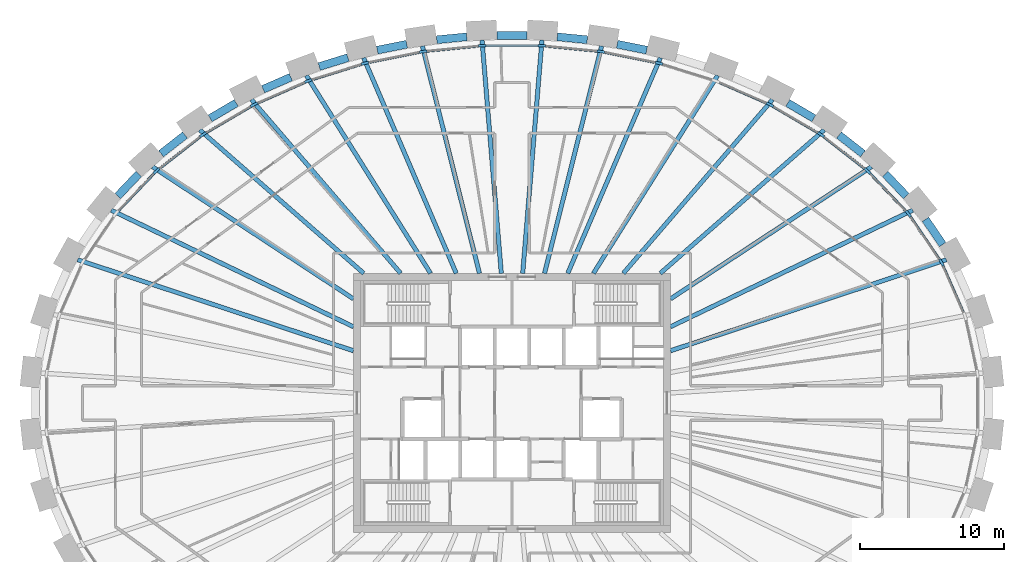
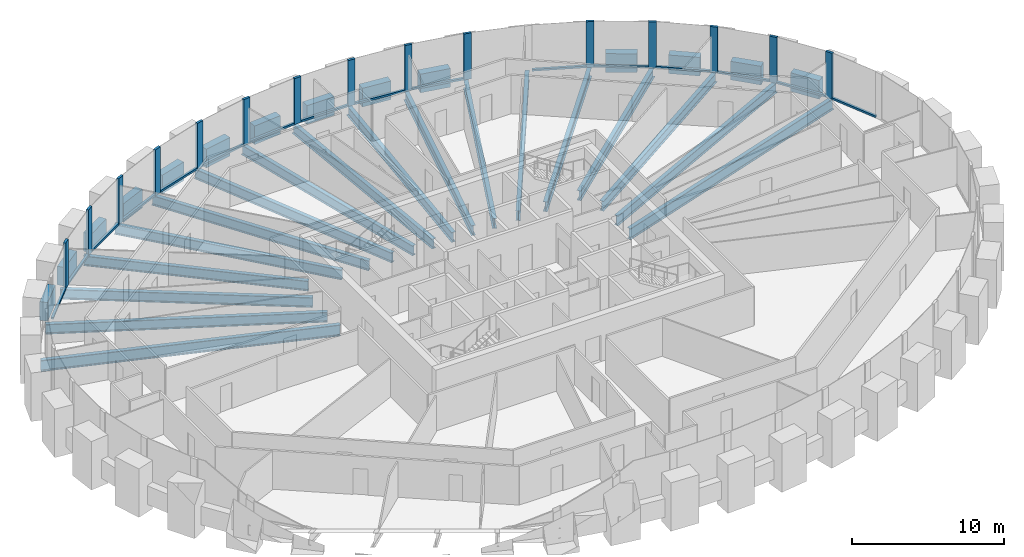
# One storey, part 3 of 12: 32 beams, 31 members, 1 element without a shape of its own.
"""IFC4 building model written with IfcOpenShell, lengths in metres."""

import ifcopenshell
import ifcopenshell.guid

model = None  # the IFC model being written
_history = None  # IfcOwnerHistory: only IFC2X3 demands one
_inside = {}  # id of a spatial element -> (the spatial element, [elements in it])
_under = {}  # id of a project, library or spatial element -> (it, [spatial elements below it])
_declared = {}  # id of a project -> (the project, [libraries it declares])
_typed = {}  # id of a type object -> (the type object, [elements of that type])
_made_of = {}  # id of a material, layer set ... -> (it, [elements and type objects made of it])


def new_model(schema):
    """Start an empty IFC model of exactly this schema.

    Asked for "IFC4X3", IfcOpenShell would pick the latest addendum, in which some entities
    have other attributes; the version numbers below select the first issue.
    IFC2X3 requires an IfcOwnerHistory on every rooted entity: one is made here for all.
    """
    global model, _history
    if schema == "IFC4X3":
        model = ifcopenshell.file(schema_version=(4, 3, 0, 0))
    else:
        model = ifcopenshell.file(schema=schema)
    _inside.clear()
    _under.clear()
    _declared.clear()
    _typed.clear()
    _made_of.clear()
    _history = None
    if model.schema == "IFC2X3":
        org = make("IfcOrganization", Name="unknown")
        user = make(
            "IfcPersonAndOrganization",
            ThePerson=make("IfcPerson", FamilyName="unknown"),
            TheOrganization=org,
        )
        app = make(
            "IfcApplication",
            ApplicationDeveloper=org,
            Version="unknown",
            ApplicationFullName="unknown",
            ApplicationIdentifier="unknown",
        )
        _history = make(
            "IfcOwnerHistory",
            OwningUser=user,
            OwningApplication=app,
            ChangeAction="ADDED",
            CreationDate=0,
        )
    return model


def make(cls, **values):
    """One entity of the class cls with the attributes given. An attribute that is None is left unset."""
    return model.create_entity(
        cls, **{name: value for name, value in values.items() if value is not None}
    )


def rooted(cls, **values):
    """An entity with a GlobalId (a new one), such as an element, a storey or a relation."""
    return make(cls, GlobalId=ifcopenshell.guid.new(), OwnerHistory=_history, **values)


def si_unit(unit_type, name, prefix=None):
    """IfcSIUnit, for example si_unit("LENGTHUNIT", "METRE", prefix="MILLI")."""
    return make("IfcSIUnit", UnitType=unit_type, Prefix=prefix, Name=name)


def assignment(units):
    """IfcUnitAssignment: the units of a project."""
    return None if units is None else make("IfcUnitAssignment", Units=units)


def point(xyz):
    """IfcCartesianPoint."""
    return None if xyz is None else make("IfcCartesianPoint", Coordinates=xyz)


def direction(xyz):
    """IfcDirection."""
    return None if xyz is None else make("IfcDirection", DirectionRatios=xyz)


def frame(location, z_axis=None, x_axis=None):
    """IfcAxis2Placement3D, a coordinate frame: its origin and axes. An axis left out is left unset."""
    return make(
        "IfcAxis2Placement3D",
        Location=point(location),
        Axis=direction(z_axis),
        RefDirection=direction(x_axis),
    )


def frame_2d(location, x_axis=None):
    """IfcAxis2Placement2D, a coordinate frame in the plane: its origin and x axis."""
    return make(
        "IfcAxis2Placement2D", Location=point(location), RefDirection=direction(x_axis)
    )


def origin():
    """The frame at (0, 0, 0) with its axes left unset."""
    return frame((0.0, 0.0, 0.0))


def origin_2d():
    """The frame at (0, 0) in the plane with its x axis left unset."""
    return frame_2d((0.0, 0.0))


def place(relative_to, where):
    """IfcLocalPlacement: puts the frame where relative to a parent placement (None: the world)."""
    return make(
        "IfcLocalPlacement", PlacementRelTo=relative_to, RelativePlacement=where
    )


def context(
    kind, dimensions, precision=None, world=None, true_north=None, identifier=None
):
    """IfcGeometricRepresentationContext, for example the 3D "Model" context."""
    return make(
        "IfcGeometricRepresentationContext",
        ContextIdentifier=identifier,
        ContextType=kind,
        CoordinateSpaceDimension=dimensions,
        Precision=precision,
        WorldCoordinateSystem=world,
        TrueNorth=true_north,
    )


def subcontext(parent, identifier, kind, view, scale=None):
    """IfcGeometricRepresentationSubContext, for example "Body" below "Model"."""
    return make(
        "IfcGeometricRepresentationSubContext",
        ContextIdentifier=identifier,
        ContextType=kind,
        ParentContext=parent,
        TargetScale=scale,
        TargetView=view,
    )


def project(units=None, contexts=None):
    """IfcProject with its units and contexts."""
    return rooted(
        "IfcProject",
        Name="project",
        RepresentationContexts=contexts,
        UnitsInContext=assignment(units),
    )


def spatial(cls, under=None, at=None, **own):
    """A site, building, storey or space (cls), placed at a placement, below another one or the project."""
    s = rooted(cls, ObjectPlacement=at, **own)
    if under is not None:
        _under.setdefault(under.id(), (under, []))[1].append(s)
    return s


def profile(cls, at=None, kind="AREA", **sizes):
    """A parametric profile (cls). Its sizes go by their IFC names, for example OverallWidth=200.0."""
    return make(cls, ProfileType=kind, Position=at, **sizes)


def rectangle(**sizes):
    """IfcRectangleProfileDef."""
    return profile("IfcRectangleProfileDef", **sizes)


def i_section(**sizes):
    """IfcIShapeProfileDef."""
    return profile("IfcIShapeProfileDef", **sizes)


def extrude(swept, where, along, depth):
    """IfcExtrudedAreaSolid: the profile swept, set in the frame where, extruded along a direction by depth."""
    return make(
        "IfcExtrudedAreaSolid",
        SweptArea=swept,
        Position=where,
        ExtrudedDirection=direction(along),
        Depth=depth,
    )


def shape(context_of_items, identifier, shape_type, items):
    """IfcShapeRepresentation: the items that make up one representation, for example the "Body"."""
    return make(
        "IfcShapeRepresentation",
        ContextOfItems=context_of_items,
        RepresentationIdentifier=identifier,
        RepresentationType=shape_type,
        Items=items,
    )


def source(mapping_origin, context_of_items, identifier, shape_type, items):
    """IfcRepresentationMap: a shape defined once, which mapped items show again and again."""
    return make(
        "IfcRepresentationMap",
        MappingOrigin=mapping_origin,
        MappedRepresentation=shape(context_of_items, identifier, shape_type, items),
    )


def transform(
    local_origin,
    x_axis=None,
    y_axis=None,
    z_axis=None,
    scale=None,
    scale2=None,
    scale3=None,
    uniform=True,
):
    """IfcCartesianTransformationOperator3D, or its non-uniform kind. x_axis, y_axis, z_axis: its Axis1, 2, 3."""
    if uniform:
        return make(
            "IfcCartesianTransformationOperator3D",
            Axis1=direction(x_axis),
            Axis2=direction(y_axis),
            LocalOrigin=point(local_origin),
            Scale=scale,
            Axis3=direction(z_axis),
        )
    return make(
        "IfcCartesianTransformationOperator3DnonUniform",
        Axis1=direction(x_axis),
        Axis2=direction(y_axis),
        LocalOrigin=point(local_origin),
        Scale=scale,
        Axis3=direction(z_axis),
        Scale2=scale2,
        Scale3=scale3,
    )


def mapped(mapping_source, mapping_target):
    """IfcMappedItem: shows the shape of a source again, moved by a transform."""
    return make(
        "IfcMappedItem", MappingSource=mapping_source, MappingTarget=mapping_target
    )


def material(Name=None, Category=None):
    """IfcMaterial."""
    return make("IfcMaterial", Name=Name, Category=Category)


def material_profile(
    of_material, cross_section, Name=None, Category=None, Priority=None
):
    """IfcMaterialProfile: a cross section and its material."""
    return make(
        "IfcMaterialProfile",
        Name=Name,
        Material=of_material,
        Profile=cross_section,
        Priority=Priority,
        Category=Category,
    )


def profile_set(profiles, Name=None, composite=None):
    """IfcMaterialProfileSet."""
    return make(
        "IfcMaterialProfileSet",
        Name=Name,
        MaterialProfiles=profiles,
        CompositeProfile=composite,
    )


def made_of(thing, what):
    """Note that an element or type object is made of a material, layer set ...; save() writes the relation."""
    if what is not None:
        _made_of.setdefault(what.id(), (what, []))[1].append(thing)
    return thing


def type_object(cls, material=None, **own):
    """A type object (cls), such as IfcWallType, which elements share."""
    return made_of(rooted(cls, **own), material)


def element(
    cls,
    number,
    at=None,
    inside=None,
    cuts=None,
    type_object=None,
    material=None,
    context=None,
    identifier="Body",
    shape_type=None,
    held_by="IfcProductDefinitionShape",
    body=None,
    shapes=None,
    **own,
):
    """One element of the class cls, such as IfcWall. Its Tag is "e" and its number.

    at: its placement. inside: the storey or other place that contains it. cuts: it is an
    opening in that element (IfcRelVoidsElement). A single representation is given by context,
    identifier, shape_type and body (its items); several are given by shapes. held_by: the class
    of the entity that holds the representations. save() writes the other relations.
    """
    e = rooted(cls, Tag="e%d" % number, ObjectPlacement=at, **own)
    if body is not None:
        shapes = [shape(context, identifier, shape_type, body)]
    if shapes is not None:
        e.Representation = make(held_by, Representations=shapes)
    if inside is not None:
        _inside.setdefault(inside.id(), (inside, []))[1].append(e)
    if cuts is not None:
        rooted(
            "IfcRelVoidsElement", RelatingBuildingElement=cuts, RelatedOpeningElement=e
        )
    if type_object is not None:
        _typed.setdefault(type_object.id(), (type_object, []))[1].append(e)
    return made_of(e, material)


def aggregate(whole, parts):
    """IfcRelAggregates: a whole, such as a stair, and the parts it consists of."""
    return rooted("IfcRelAggregates", RelatingObject=whole, RelatedObjects=parts)


def save(model, path):
    """Write the relations noted so far, then the file.

    IfcRelAggregates (storeys below a building ...), IfcRelContainedInSpatialStructure (elements
    in a storey), IfcRelDefinesByType, IfcRelAssociatesMaterial and IfcRelDeclares: one each for
    every whole, place, type object, material and project.
    """
    for whole, parts in _under.values():
        aggregate(whole, parts)
    for where, things in _inside.values():
        rooted(
            "IfcRelContainedInSpatialStructure",
            RelatedElements=things,
            RelatingStructure=where,
        )
    for kind, things in _typed.values():
        rooted("IfcRelDefinesByType", RelatedObjects=things, RelatingType=kind)
    for what, things in _made_of.values():
        rooted("IfcRelAssociatesMaterial", RelatedObjects=things, RelatingMaterial=what)
    for by, libraries in _declared.values():
        rooted("IfcRelDeclares", RelatingContext=by, RelatedDefinitions=libraries)
    model.write(path)


model = new_model("IFC4")

# Units and contexts
model_context = context("Model", 3, precision=1e-05, world=origin(), true_north=direction((0.0, 1.0)))
body_context = subcontext(model_context, "Body", "Model", "MODEL_VIEW")
ifc_project = project(units=[si_unit("LENGTHUNIT", "METRE"), si_unit("AREAUNIT", "SQUARE_METRE"), si_unit("VOLUMEUNIT", "CUBIC_METRE"), si_unit("PLANEANGLEUNIT", "RADIAN"), si_unit("MASSUNIT", "GRAM", prefix="KILO")], contexts=[model_context])

# Site, building, storey
site_placement = place(None, origin())
site = spatial("IfcSite", under=ifc_project, at=site_placement, CompositionType="ELEMENT")
building_placement = place(site_placement, origin())
building = spatial("IfcBuilding", under=site, at=building_placement, Name="Embergate Tower", CompositionType="ELEMENT")
storey_placement = place(building_placement, frame((0.0, 0.0, 246.10009765625)))
storey = spatial("IfcBuildingStorey", under=building, at=storey_placement, Name="L56", CompositionType="ELEMENT", Elevation=246.10009765625)

# Beams
ifc_material_1 = material(Name="Concrete C60", Category="concrete")
ifc_material_profile_1 = material_profile(ifc_material_1, rectangle(XDim=0.550048828125, YDim=1.5, at=origin_2d()), Name="RC 550x1500")
ifc_profile_set_1 = profile_set([ifc_material_profile_1], Name="Concrete C60")
beam_type_1 = type_object("IfcBeamType", Name="Spandrel beam RC 550x1500 C60", PredefinedType="BEAM", material=ifc_profile_set_1)
shared_shape_1 = source(origin(), body_context, "Body", "SweptSolid", [
    extrude(rectangle(XDim=0.550048828125, YDim=1.5, at=origin_2d()), origin(), (0.0, 0.0, 1.0), 2.113525390625),
])
beam_1_placement = place(storey_placement, frame((29.885986328125, 10.998046875, 0.0), z_axis=(-0.562088832066, 0.827076867569, 0.0), x_axis=(-0.827076867569, -0.562088832066, 0.0)))
element("IfcBeam", 1, at=beam_1_placement, inside=storey, type_object=beam_type_1, Name="SPN-L56-02", PredefinedType="BEAM", context=body_context, shape_type="MappedRepresentation", body=[
    mapped(shared_shape_1, transform((0.0, 0.0, 0.0))),
])
shared_shape_2 = source(origin(), body_context, "Body", "SweptSolid", [
    extrude(rectangle(XDim=0.550048828125, YDim=1.5, at=origin_2d()), origin(), (0.0, 0.0, 1.0), 2.1064453125),
])
for number, where, z_axis, x_axis, name in (
    (2, (27.362060546875, 14.366943359375, 0.0), (-0.690280012813, 0.723542330421, 0.0), (-0.723542330421, -0.690280012813, 0.0), "SPN-L56-03"),
    (3, (-25.907958984375, 15.89111328125, 0.0), (-0.690280012813, -0.723542330421, 0.0), (0.723542330421, -0.690280012813, 0.0), "SPN-L56-17"),
):
    element("IfcBeam", number, at=place(storey_placement, frame(where, z_axis=z_axis, x_axis=x_axis)), inside=storey, type_object=beam_type_1, Name=name, PredefinedType="BEAM", context=body_context, shape_type="MappedRepresentation", body=[
        mapped(shared_shape_2, transform((0.0, 0.0, 0.0))),
    ])
shared_shape_3 = source(origin(), body_context, "Body", "SweptSolid", [
    extrude(rectangle(XDim=0.550048828125, YDim=1.5, at=origin_2d()), origin(), (0.0, 0.0, 1.0), 2.101806640625),
])
for number, where, z_axis, x_axis, name in (
    (4, (24.35205078125, 17.301025390625, 0.0), (-0.78838173926, 0.615186340227, 0.0), (-0.615186340227, -0.78838173926, 0.0), "SPN-L56-04"),
    (5, (-22.695068359375, 18.593994140625, 0.0), (-0.78838173926, -0.615186340227, 0.0), (0.615186340227, -0.78838173926, 0.0), "SPN-L56-16"),
):
    element("IfcBeam", number, at=place(storey_placement, frame(where, z_axis=z_axis, x_axis=x_axis)), inside=storey, type_object=beam_type_1, Name=name, PredefinedType="BEAM", context=body_context, shape_type="MappedRepresentation", body=[
        mapped(shared_shape_3, transform((0.0, 0.0, 0.0))),
    ])
shared_shape_4 = source(origin(), body_context, "Body", "SweptSolid", [
    extrude(rectangle(XDim=0.550048828125, YDim=1.5, at=origin_2d()), origin(), (0.0, 0.0, 1.0), 2.097412109375),
])
for number, where, z_axis, x_axis, name in (
    (6, (20.947021484375, 19.758056640625, 0.0), (-0.862059864985, 0.506806461267, 0.0), (-0.506806461267, -0.862059864985, 0.0), "SPN-L56-05"),
    (7, (-19.138916015625, 20.821044921875, 0.0), (-0.862059864985, -0.506806461267, 0.0), (0.506806461267, -0.862059864985, 0.0), "SPN-L56-15"),
):
    element("IfcBeam", number, at=place(storey_placement, frame(where, z_axis=z_axis, x_axis=x_axis)), inside=storey, type_object=beam_type_1, Name=name, PredefinedType="BEAM", context=body_context, shape_type="MappedRepresentation", body=[
        mapped(shared_shape_4, transform((0.0, 0.0, 0.0))),
    ])
shared_shape_5 = source(origin(), body_context, "Body", "SweptSolid", [
    extrude(rectangle(XDim=0.550048828125, YDim=1.5, at=origin_2d()), origin(), (0.0, 0.0, 1.0), 2.093994140625),
])
beam_2_placement = place(storey_placement, frame((-15.35009765625, 22.614013671875, 0.0), z_axis=(-0.916403340616, -0.400256064674, 0.0), x_axis=(0.400256064674, -0.916403340616, 0.0)))
element("IfcBeam", 8, at=beam_2_placement, inside=storey, type_object=beam_type_1, Name="SPN-L56-14", PredefinedType="BEAM", context=body_context, shape_type="MappedRepresentation", body=[
    mapped(shared_shape_5, transform((0.0, 0.0, 0.0))),
])
shared_shape_6 = source(origin(), body_context, "Body", "SweptSolid", [
    extrude(rectangle(XDim=0.550048828125, YDim=1.5, at=origin_2d()), origin(), (0.0, 0.0, 1.0), 2.092529296875),
])
beam_3_placement = place(storey_placement, frame((-11.385009765625, 23.969970703125, 0.0), z_axis=(-0.954794982035, -0.297265104378, 0.0), x_axis=(0.297265104378, -0.954794982035, 0.0)))
element("IfcBeam", 9, at=beam_3_placement, inside=storey, type_object=beam_type_1, Name="SPN-L56-13", PredefinedType="BEAM", context=body_context, shape_type="MappedRepresentation", body=[
    mapped(shared_shape_6, transform((0.0, 0.0, 0.0))),
])
shared_shape_7 = source(origin(), body_context, "Body", "SweptSolid", [
    extrude(rectangle(XDim=0.550048828125, YDim=1.5, at=origin_2d()), origin(), (0.0, 0.0, 1.0), 2.0908203125),
])
for number, where, z_axis, x_axis, name in (
    (10, (9.35009765625, 24.489990234375, 0.0), (-0.980499753095, 0.196520314929, 0.0), (-0.196520314929, -0.980499753095, 0.0), "SPN-L56-08"),
    (11, (-7.300048828125, 24.90087890625, 0.0), (-0.980499753095, -0.196520314929, 0.0), (0.196520314929, -0.980499753095, 0.0), "SPN-L56-12"),
):
    element("IfcBeam", number, at=place(storey_placement, frame(where, z_axis=z_axis, x_axis=x_axis)), inside=storey, type_object=beam_type_1, Name=name, PredefinedType="BEAM", context=body_context, shape_type="MappedRepresentation", body=[
        mapped(shared_shape_7, transform((0.0, 0.0, 0.0))),
    ])
shared_shape_8 = source(origin(), body_context, "Body", "SweptSolid", [
    extrude(rectangle(XDim=0.550048828125, YDim=1.5, at=origin_2d()), origin(), (0.0, 0.0, 1.0), 2.08984375),
])
for number, where, z_axis, x_axis, name in (
    (12, (5.222900390625, 25.2109375, 0.0), (-0.995219400888, 0.097664446431, 0.0), (-0.097664446431, -0.995219400888, 0.0), "SPN-L56-09"),
    (13, (1.044921875, 25.51806640625, 0.0), (-1.0, 0.0, 0.0), (0.0, -1.0, 0.0), "SPN-L56-10"),
    (14, (-3.14306640625, 25.4150390625, 0.0), (-0.995219400888, -0.097664446431, 0.0), (0.097664446431, -0.995219400888, 0.0), "SPN-L56-11"),
):
    element("IfcBeam", number, at=place(storey_placement, frame(where, z_axis=z_axis, x_axis=x_axis)), inside=storey, type_object=beam_type_1, Name=name, PredefinedType="BEAM", context=body_context, shape_type="MappedRepresentation", body=[
        mapped(shared_shape_8, transform((0.0, 0.0, 0.0))),
    ])
ifc_material_2 = material(Name="Steel Q355B", Category="steel")
ifc_material_profile_2 = material_profile(ifc_material_2, i_section(OverallWidth=0.300048828125, OverallDepth=0.89990234375, WebThickness=0.01611328125, FlangeThickness=0.028076171875, FilletRadius=0.028076171875, at=origin_2d()), Name="HN 900x300x16x28")
ifc_profile_set_2 = profile_set([ifc_material_profile_2], Name="Steel Q355 grade B")
beam_type_2 = type_object("IfcBeamType", Name="Radial girder HN 900x300x16x28", PredefinedType="BEAM", material=ifc_profile_set_2)
shared_shape_9 = source(origin(), body_context, "Body", "SweptSolid", [
    extrude(i_section(OverallWidth=0.300048828125, OverallDepth=0.89990234375, WebThickness=0.01611328125, FlangeThickness=0.028076171875, FilletRadius=0.028076171875, at=origin_2d()), origin(), (0.0, 0.0, 1.0), 20.164306640625),
])
for number, where, z_axis, x_axis, name in (
    (15, (30.14990234375, 9.943115234375, -0.650146484375), (-0.949691828374, -0.313185936976, 0.0), (0.313185936976, -0.949691828374, 0.0), "GIR-L56-02"),
    (16, (-30.14990234375, 9.943115234375, -0.650146484375), (0.949691828374, -0.313185936976, 0.0), (0.313185936976, 0.949691828374, 0.0), "GIR-L56-19"),
):
    element("IfcBeam", number, at=place(storey_placement, frame(where, z_axis=z_axis, x_axis=x_axis)), inside=storey, type_object=beam_type_2, Name=name, PredefinedType="BEAM", context=body_context, shape_type="MappedRepresentation", body=[
        mapped(shared_shape_9, transform((0.0, 0.0, 0.0))),
    ])
ifc_material_profile_3 = material_profile(ifc_material_2, i_section(OverallWidth=0.300048828125, OverallDepth=0.800048828125, WebThickness=0.013916015625, FlangeThickness=0.02587890625, FilletRadius=0.028076171875, at=origin_2d()), Name="HN 800x300x14x26")
ifc_profile_set_3 = profile_set([ifc_material_profile_3], Name="Steel Q355 grade B")
beam_type_3 = type_object("IfcBeamType", Name="Radial girder HN 800x300x14x26", PredefinedType="BEAM", material=ifc_profile_set_3)
shared_shape_10 = source(origin(), body_context, "Body", "SweptSolid", [
    extrude(i_section(OverallWidth=0.300048828125, OverallDepth=0.800048828125, WebThickness=0.013916015625, FlangeThickness=0.02587890625, FilletRadius=0.028076171875, at=origin_2d()), origin(), (0.0, 0.0, 1.0), 18.6572265625),
])
for number, where, z_axis, x_axis, name in (
    (17, (27.81298828125, 13.3798828125, -0.60009765625), (-0.901153541631, -0.433500051218, 0.0), (0.433500051218, -0.901153541631, 0.0), "GIR-L56-03"),
    (18, (-27.81298828125, 13.3798828125, -0.60009765625), (0.901153541631, -0.433500051218, 0.0), (0.433500051218, 0.901153541631, 0.0), "GIR-L56-18"),
):
    element("IfcBeam", number, at=place(storey_placement, frame(where, z_axis=z_axis, x_axis=x_axis)), inside=storey, type_object=beam_type_3, Name=name, PredefinedType="BEAM", context=body_context, shape_type="MappedRepresentation", body=[
        mapped(shared_shape_10, transform((0.0, 0.0, 0.0))),
    ])
shared_shape_11 = source(origin(), body_context, "Body", "SweptSolid", [
    extrude(i_section(OverallWidth=0.300048828125, OverallDepth=0.800048828125, WebThickness=0.013916015625, FlangeThickness=0.02587890625, FilletRadius=0.028076171875, at=origin_2d()), origin(), (0.0, 0.0, 1.0), 16.683349609375),
])
for number, where, z_axis, x_axis, name in (
    (19, (24.943115234375, 16.387939453125, -0.60009765625), (-0.835753065735, -0.549105466295, 0.0), (0.549105466295, -0.835753065735, 0.0), "GIR-L56-04"),
    (20, (-24.943115234375, 16.387939453125, -0.60009765625), (0.835753065735, -0.549105466295, 0.0), (0.549105466295, 0.835753065735, 0.0), "GIR-L56-17"),
):
    element("IfcBeam", number, at=place(storey_placement, frame(where, z_axis=z_axis, x_axis=x_axis)), inside=storey, type_object=beam_type_3, Name=name, PredefinedType="BEAM", context=body_context, shape_type="MappedRepresentation", body=[
        mapped(shared_shape_11, transform((0.0, 0.0, 0.0))),
    ])
shared_shape_12 = source(origin(), body_context, "Body", "SweptSolid", [
    extrude(i_section(OverallWidth=0.300048828125, OverallDepth=0.800048828125, WebThickness=0.013916015625, FlangeThickness=0.02587890625, FilletRadius=0.028076171875, at=origin_2d()), origin(), (0.0, 0.0, 1.0), 15.11083984375),
])
for number, where, z_axis, x_axis, name in (
    (21, (21.666015625, 18.947021484375, -0.60009765625), (-0.752776832469, -0.658275808836, 0.0), (0.658275808836, -0.752776832469, 0.0), "GIR-L56-05"),
    (22, (-21.666015625, 18.947021484375, -0.60009765625), (0.752776832469, -0.658275808836, 0.0), (0.658275808836, 0.752776832469, 0.0), "GIR-L56-16"),
):
    element("IfcBeam", number, at=place(storey_placement, frame(where, z_axis=z_axis, x_axis=x_axis)), inside=storey, type_object=beam_type_3, Name=name, PredefinedType="BEAM", context=body_context, shape_type="MappedRepresentation", body=[
        mapped(shared_shape_12, transform((0.0, 0.0, 0.0))),
    ])
shared_shape_13 = source(origin(), body_context, "Body", "SweptSolid", [
    extrude(i_section(OverallWidth=0.300048828125, OverallDepth=0.800048828125, WebThickness=0.013916015625, FlangeThickness=0.02587890625, FilletRadius=0.028076171875, at=origin_2d()), origin(), (0.0, 0.0, 1.0), 15.889892578125),
])
for number, where, z_axis, x_axis, name in (
    (23, (18.080078125, 21.054931640625, -0.60009765625), (-0.651489554498, -0.75865760418, 0.0), (0.75865760418, -0.651489554498, 0.0), "GIR-L56-06"),
    (24, (-18.080078125, 21.054931640625, -0.60009765625), (0.651489554498, -0.75865760418, 0.0), (0.75865760418, 0.651489554498, 0.0), "GIR-L56-15"),
):
    element("IfcBeam", number, at=place(storey_placement, frame(where, z_axis=z_axis, x_axis=x_axis)), inside=storey, type_object=beam_type_3, Name=name, PredefinedType="BEAM", context=body_context, shape_type="MappedRepresentation", body=[
        mapped(shared_shape_13, transform((0.0, 0.0, 0.0))),
    ])
shared_shape_14 = source(origin(), body_context, "Body", "SweptSolid", [
    extrude(i_section(OverallWidth=0.300048828125, OverallDepth=0.800048828125, WebThickness=0.013916015625, FlangeThickness=0.02587890625, FilletRadius=0.028076171875, at=origin_2d()), origin(), (0.0, 0.0, 1.0), 16.202880859375),
])
for number, where, z_axis, x_axis, name in (
    (25, (14.27001953125, 22.720947265625, -0.60009765625), (-0.531876197459, -0.84682212452, 0.0), (0.84682212452, -0.531876197459, 0.0), "GIR-L56-07"),
    (26, (-14.27001953125, 22.720947265625, -0.60009765625), (0.531876197459, -0.84682212452, 0.0), (0.84682212452, 0.531876197459, 0.0), "GIR-L56-14"),
):
    element("IfcBeam", number, at=place(storey_placement, frame(where, z_axis=z_axis, x_axis=x_axis)), inside=storey, type_object=beam_type_3, Name=name, PredefinedType="BEAM", context=body_context, shape_type="MappedRepresentation", body=[
        mapped(shared_shape_14, transform((0.0, 0.0, 0.0))),
    ])
shared_shape_15 = source(origin(), body_context, "Body", "SweptSolid", [
    extrude(i_section(OverallWidth=0.300048828125, OverallDepth=0.800048828125, WebThickness=0.013916015625, FlangeThickness=0.02587890625, FilletRadius=0.028076171875, at=origin_2d()), origin(), (0.0, 0.0, 1.0), 16.281494140625),
])
for number, where, z_axis, x_axis, name in (
    (27, (10.299072265625, 23.9580078125, -0.60009765625), (-0.394936126448, -0.918708580577, 0.0), (0.918708580577, -0.394936126448, 0.0), "GIR-L56-08"),
    (28, (-10.299072265625, 23.9580078125, -0.60009765625), (0.394936126448, -0.918708580577, 0.0), (0.918708580577, 0.394936126448, 0.0), "GIR-L56-13"),
):
    element("IfcBeam", number, at=place(storey_placement, frame(where, z_axis=z_axis, x_axis=x_axis)), inside=storey, type_object=beam_type_3, Name=name, PredefinedType="BEAM", context=body_context, shape_type="MappedRepresentation", body=[
        mapped(shared_shape_15, transform((0.0, 0.0, 0.0))),
    ])
shared_shape_16 = source(origin(), body_context, "Body", "SweptSolid", [
    extrude(i_section(OverallWidth=0.300048828125, OverallDepth=0.800048828125, WebThickness=0.013916015625, FlangeThickness=0.02587890625, FilletRadius=0.028076171875, at=origin_2d()), origin(), (0.0, 0.0, 1.0), 16.265625),
])
for number, where, z_axis, x_axis, name in (
    (29, (6.219970703125, 24.77587890625, -0.60009765625), (-0.243517311552, -0.969896550656, 0.0), (0.969896550656, -0.243517311552, 0.0), "GIR-L56-09"),
    (30, (-6.219970703125, 24.77587890625, -0.60009765625), (0.243517311552, -0.969896550656, 0.0), (0.969896550656, 0.243517311552, 0.0), "GIR-L56-12"),
):
    element("IfcBeam", number, at=place(storey_placement, frame(where, z_axis=z_axis, x_axis=x_axis)), inside=storey, type_object=beam_type_3, Name=name, PredefinedType="BEAM", context=body_context, shape_type="MappedRepresentation", body=[
        mapped(shared_shape_16, transform((0.0, 0.0, 0.0))),
    ])
shared_shape_17 = source(origin(), body_context, "Body", "SweptSolid", [
    extrude(i_section(OverallWidth=0.300048828125, OverallDepth=0.800048828125, WebThickness=0.013916015625, FlangeThickness=0.02587890625, FilletRadius=0.028076171875, at=origin_2d()), origin(), (0.0, 0.0, 1.0), 16.23828125),
])
for number, where, z_axis, x_axis, name in (
    (31, (2.080078125, 25.18310546875, -0.60009765625), (-0.082346180741, -0.996603786124, 0.0), (0.996603786124, -0.082346180741, 0.0), "GIR-L56-10"),
    (32, (-2.080078125, 25.18310546875, -0.60009765625), (0.082346180741, -0.996603786124, 0.0), (0.996603786124, 0.082346180741, 0.0), "GIR-L56-11"),
):
    element("IfcBeam", number, at=place(storey_placement, frame(where, z_axis=z_axis, x_axis=x_axis)), inside=storey, type_object=beam_type_3, Name=name, PredefinedType="BEAM", context=body_context, shape_type="MappedRepresentation", body=[
        mapped(shared_shape_17, transform((0.0, 0.0, 0.0))),
    ])

# Curtain wall, members
ifc_material_3 = material(Name="Aluminium and glass", Category="aluminium")
curtain_wall_type = type_object("IfcCurtainWallType", Name="Recessed office glazing", PredefinedType="NOTDEFINED", material=ifc_material_3)
curtain_wall_placement = place(storey_placement, origin())
curtain_wall = element("IfcCurtainWall", 33, at=curtain_wall_placement, inside=storey, type_object=curtain_wall_type, Name="Recessed office glazing ring", ObjectType="RECESSED OFFICE GLAZING", PredefinedType="USERDEFINED")
ifc_material_4 = material(Name="Aluminium, thermally broken", Category="aluminium")
ifc_material_profile_4 = material_profile(ifc_material_4, rectangle(XDim=0.179931640625, YDim=0.52001953125, at=origin_2d()), Name="AL 520x180")
ifc_profile_set_4 = profile_set([ifc_material_profile_4], Name="Aluminium, thermally broken")
member_type_1 = type_object("IfcMemberType", Name="Office mullion", PredefinedType="MULLION", material=ifc_profile_set_4)
shared_shape_18 = source(origin(), body_context, "Body", "SweptSolid", [
    extrude(rectangle(XDim=0.179931640625, YDim=0.52001953125, at=origin_2d()), origin(), (0.0, 0.0, 1.0), 3.699951171875),
])
member_1_placement = place(storey_placement, frame((29.809326171875, 9.753173828125, 0.0), z_axis=(0.0, 0.0, 1.0), x_axis=(-0.874997671059, -0.484127127562, 0.0)))
member_1 = element("IfcMember", 34, at=member_1_placement, type_object=member_type_1, Name="CW mullion 3", PredefinedType="MULLION", context=body_context, shape_type="MappedRepresentation", body=[
    mapped(shared_shape_18, transform((0.0, 0.0, 0.0))),
])
member_2_placement = place(storey_placement, frame((27.51025390625, 13.134033203125, 0.0), z_axis=(0.0, 0.0, 1.0), x_axis=(-0.777868177123, -0.628427481114, 0.0)))
member_2 = element("IfcMember", 35, at=member_2_placement, type_object=member_type_1, Name="CW mullion 4", PredefinedType="MULLION", context=body_context, shape_type="MappedRepresentation", body=[
    mapped(shared_shape_18, transform((0.0, 0.0, 0.0))),
])
member_3_placement = place(storey_placement, frame((24.682861328125, 16.098876953125, 0.0), z_axis=(0.0, 0.0, 1.0), x_axis=(-0.671223946494, -0.741254621337, 0.0)))
member_3 = element("IfcMember", 36, at=member_3_placement, type_object=member_type_1, Name="CW mullion 5", PredefinedType="MULLION", context=body_context, shape_type="MappedRepresentation", body=[
    mapped(shared_shape_18, transform((0.0, 0.0, 0.0))),
])
member_4_placement = place(storey_placement, frame((21.447265625, 18.624267578125, 0.0), z_axis=(0.0, 0.0, 1.0), x_axis=(-0.562214731803, -0.826991290972, 0.0)))
member_4 = element("IfcMember", 37, at=member_4_placement, type_object=member_type_1, Name="CW mullion 6", PredefinedType="MULLION", context=body_context, shape_type="MappedRepresentation", body=[
    mapped(shared_shape_18, transform((0.0, 0.0, 0.0))),
])
member_5_placement = place(storey_placement, frame((17.904052734375, 20.707275390625, 0.0), z_axis=(0.0, 0.0, 1.0), x_axis=(-0.454509825889, -0.890741723605, 0.0)))
member_5 = element("IfcMember", 38, at=member_5_placement, type_object=member_type_1, Name="CW mullion 7", PredefinedType="MULLION", context=body_context, shape_type="MappedRepresentation", body=[
    mapped(shared_shape_18, transform((0.0, 0.0, 0.0))),
])
member_6_placement = place(storey_placement, frame((10.2021484375, 23.580322265625, 0.0), z_axis=(0.0, 0.0, 1.0), x_axis=(-0.24731188137, -0.968935928394, 0.0)))
member_6 = element("IfcMember", 39, at=member_6_placement, type_object=member_type_1, Name="CW mullion 9", PredefinedType="MULLION", context=body_context, shape_type="MappedRepresentation", body=[
    mapped(shared_shape_18, transform((0.0, 0.0, 0.0))),
])
member_7_placement = place(storey_placement, frame((6.16259765625, 24.390380859375, 0.0), z_axis=(0.0, 0.0, 1.0), x_axis=(-0.147412382818, -0.989075118174, 0.0)))
member_7 = element("IfcMember", 40, at=member_7_placement, type_object=member_type_1, Name="CW mullion 10", PredefinedType="MULLION", context=body_context, shape_type="MappedRepresentation", body=[
    mapped(shared_shape_18, transform((0.0, 0.0, 0.0))),
])
member_8_placement = place(storey_placement, frame((2.060791015625, 24.793701171875, 0.0), z_axis=(0.0, 0.0, 1.0), x_axis=(-0.048971796621, -0.998800161762, 0.0)))
member_8 = element("IfcMember", 41, at=member_8_placement, type_object=member_type_1, Name="CW mullion 11", PredefinedType="MULLION", context=body_context, shape_type="MappedRepresentation", body=[
    mapped(shared_shape_18, transform((0.0, 0.0, 0.0))),
])
member_9_placement = place(storey_placement, frame((-2.060791015625, 24.793701171875, 0.0), z_axis=(0.0, 0.0, 1.0), x_axis=(0.048971796621, -0.998800161762, 0.0)))
member_9 = element("IfcMember", 42, at=member_9_placement, type_object=member_type_1, Name="CW mullion 12", PredefinedType="MULLION", context=body_context, shape_type="MappedRepresentation", body=[
    mapped(shared_shape_18, transform((0.0, 0.0, 0.0))),
])
member_10_placement = place(storey_placement, frame((-6.16259765625, 24.390380859375, 0.0), z_axis=(0.0, 0.0, 1.0), x_axis=(0.147412382818, -0.989075118174, 0.0)))
member_10 = element("IfcMember", 43, at=member_10_placement, type_object=member_type_1, Name="CW mullion 13", PredefinedType="MULLION", context=body_context, shape_type="MappedRepresentation", body=[
    mapped(shared_shape_18, transform((0.0, 0.0, 0.0))),
])
member_11_placement = place(storey_placement, frame((-10.2021484375, 23.580322265625, 0.0), z_axis=(0.0, 0.0, 1.0), x_axis=(0.24731188137, -0.968935928394, 0.0)))
member_11 = element("IfcMember", 44, at=member_11_placement, type_object=member_type_1, Name="CW mullion 14", PredefinedType="MULLION", context=body_context, shape_type="MappedRepresentation", body=[
    mapped(shared_shape_18, transform((0.0, 0.0, 0.0))),
])
member_12_placement = place(storey_placement, frame((-14.1337890625, 22.35595703125, 0.0), z_axis=(0.0, 0.0, 1.0), x_axis=(0.349502682851, -0.936935363128, 0.0)))
member_12 = element("IfcMember", 45, at=member_12_placement, type_object=member_type_1, Name="CW mullion 15", PredefinedType="MULLION", context=body_context, shape_type="MappedRepresentation", body=[
    mapped(shared_shape_18, transform((0.0, 0.0, 0.0))),
])
member_13_placement = place(storey_placement, frame((-17.904052734375, 20.707275390625, 0.0), z_axis=(0.0, 0.0, 1.0), x_axis=(0.454509825889, -0.890741723605, 0.0)))
member_13 = element("IfcMember", 46, at=member_13_placement, type_object=member_type_1, Name="CW mullion 16", PredefinedType="MULLION", context=body_context, shape_type="MappedRepresentation", body=[
    mapped(shared_shape_18, transform((0.0, 0.0, 0.0))),
])
member_14_placement = place(storey_placement, frame((-21.447265625, 18.624267578125, 0.0), z_axis=(0.0, 0.0, 1.0), x_axis=(0.562214731803, -0.826991290972, 0.0)))
member_14 = element("IfcMember", 47, at=member_14_placement, type_object=member_type_1, Name="CW mullion 17", PredefinedType="MULLION", context=body_context, shape_type="MappedRepresentation", body=[
    mapped(shared_shape_18, transform((0.0, 0.0, 0.0))),
])
member_15_placement = place(storey_placement, frame((-24.682861328125, 16.098876953125, 0.0), z_axis=(0.0, 0.0, 1.0), x_axis=(0.671223946494, -0.741254621337, 0.0)))
member_15 = element("IfcMember", 48, at=member_15_placement, type_object=member_type_1, Name="CW mullion 18", PredefinedType="MULLION", context=body_context, shape_type="MappedRepresentation", body=[
    mapped(shared_shape_18, transform((0.0, 0.0, 0.0))),
])
ifc_material_profile_5 = material_profile(ifc_material_4, rectangle(XDim=0.179931640625, YDim=0.14990234375, at=origin_2d()), Name="AL 150x180")
ifc_profile_set_5 = profile_set([ifc_material_profile_5], Name="Aluminium, thermally broken")
member_type_2 = type_object("IfcMemberType", Name="Office sill transom", PredefinedType="USERDEFINED", material=ifc_profile_set_5)
shared_shape_19 = source(origin(), body_context, "Body", "SweptSolid", [
    extrude(rectangle(XDim=0.179931640625, YDim=0.14990234375, at=origin_2d()), origin(), (0.0, 0.0, 1.0), 3.559814453125),
])
member_16_placement = place(storey_placement, frame((31.343505859375, 6.255126953125, 0.074951171875), z_axis=(-0.401628194201, 0.915802813723, 0.0), x_axis=(-0.915802813723, -0.401628194201, 0.0)))
member_16 = element("IfcMember", 49, at=member_16_placement, type_object=member_type_2, Name="CW transom 2.1", ObjectType="TRANSOM", PredefinedType="USERDEFINED", context=body_context, shape_type="MappedRepresentation", body=[
    mapped(shared_shape_19, transform((0.0, 0.0, 0.0))),
])
shared_shape_20 = source(origin(), body_context, "Body", "SweptSolid", [
    extrude(rectangle(XDim=0.179931640625, YDim=0.14990234375, at=origin_2d()), origin(), (0.0, 0.0, 1.0), 3.568359375),
])
member_17_placement = place(storey_placement, frame((29.6630859375, 9.96826171875, 0.074951171875), z_axis=(-0.562334349522, 0.826909958428, 0.0), x_axis=(-0.826909958428, -0.562334349522, 0.0)))
member_17 = element("IfcMember", 50, at=member_17_placement, type_object=member_type_2, Name="CW transom 3.1", ObjectType="TRANSOM", PredefinedType="USERDEFINED", context=body_context, shape_type="MappedRepresentation", body=[
    mapped(shared_shape_20, transform((0.0, 0.0, 0.0))),
])
shared_shape_21 = source(origin(), body_context, "Body", "SweptSolid", [
    extrude(rectangle(XDim=0.179931640625, YDim=0.14990234375, at=origin_2d()), origin(), (0.0, 0.0, 1.0), 3.576904296875),
])
member_18_placement = place(storey_placement, frame((27.330810546875, 13.322265625, 0.074951171875), z_axis=(-0.69011690361, 0.72369790614, 0.0), x_axis=(-0.72369790614, -0.69011690361, 0.0)))
member_18 = element("IfcMember", 51, at=member_18_placement, type_object=member_type_2, Name="CW transom 4.1", ObjectType="TRANSOM", PredefinedType="USERDEFINED", context=body_context, shape_type="MappedRepresentation", body=[
    mapped(shared_shape_21, transform((0.0, 0.0, 0.0))),
])
member_19_placement = place(storey_placement, frame((-24.8623046875, 15.910888671875, 0.074951171875), z_axis=(-0.69011690361, -0.72369790614, 0.0), x_axis=(0.72369790614, -0.69011690361, 0.0)))
member_19 = element("IfcMember", 52, at=member_19_placement, type_object=member_type_2, Name="CW transom 18.1", ObjectType="TRANSOM", PredefinedType="USERDEFINED", context=body_context, shape_type="MappedRepresentation", body=[
    mapped(shared_shape_21, transform((0.0, 0.0, 0.0))),
])
shared_shape_22 = source(origin(), body_context, "Body", "SweptSolid", [
    extrude(rectangle(XDim=0.179931640625, YDim=0.14990234375, at=origin_2d()), origin(), (0.0, 0.0, 1.0), 3.58447265625),
])
member_20_placement = place(storey_placement, frame((24.477783203125, 16.2587890625, 0.074951171875), z_axis=(-0.788327869744, 0.61525536957, 0.0), x_axis=(-0.61525536957, -0.788327869744, 0.0)))
member_20 = element("IfcMember", 53, at=member_20_placement, type_object=member_type_2, Name="CW transom 5.1", ObjectType="TRANSOM", PredefinedType="USERDEFINED", context=body_context, shape_type="MappedRepresentation", body=[
    mapped(shared_shape_22, transform((0.0, 0.0, 0.0))),
])
member_21_placement = place(storey_placement, frame((-21.652099609375, 18.464111328125, 0.074951171875), z_axis=(-0.788327869744, -0.61525536957, 0.0), x_axis=(0.61525536957, -0.788327869744, 0.0)))
member_21 = element("IfcMember", 54, at=member_21_placement, type_object=member_type_2, Name="CW transom 17.1", ObjectType="TRANSOM", PredefinedType="USERDEFINED", context=body_context, shape_type="MappedRepresentation", body=[
    mapped(shared_shape_22, transform((0.0, 0.0, 0.0))),
])
shared_shape_23 = source(origin(), body_context, "Body", "SweptSolid", [
    extrude(rectangle(XDim=0.179931640625, YDim=0.14990234375, at=origin_2d()), origin(), (0.0, 0.0, 1.0), 3.59033203125),
])
member_22_placement = place(storey_placement, frame((21.22314453125, 18.756103515625, 0.074951171875), z_axis=(-0.862054810365, 0.506815058898, 0.0), x_axis=(-0.506815058898, -0.862054810365, 0.0)))
member_22 = element("IfcMember", 55, at=member_22_placement, type_object=member_type_2, Name="CW transom 6.1", ObjectType="TRANSOM", PredefinedType="USERDEFINED", context=body_context, shape_type="MappedRepresentation", body=[
    mapped(shared_shape_23, transform((0.0, 0.0, 0.0))),
])
member_23_placement = place(storey_placement, frame((-18.128173828125, 20.57568359375, 0.074951171875), z_axis=(-0.862054810365, -0.506815058898, 0.0), x_axis=(0.506815058898, -0.862054810365, 0.0)))
member_23 = element("IfcMember", 56, at=member_23_placement, type_object=member_type_2, Name="CW transom 16.1", ObjectType="TRANSOM", PredefinedType="USERDEFINED", context=body_context, shape_type="MappedRepresentation", body=[
    mapped(shared_shape_23, transform((0.0, 0.0, 0.0))),
])
shared_shape_24 = source(origin(), body_context, "Body", "SweptSolid", [
    extrude(rectangle(XDim=0.179931640625, YDim=0.14990234375, at=origin_2d()), origin(), (0.0, 0.0, 1.0), 3.594482421875),
])
member_24_placement = place(storey_placement, frame((17.665771484375, 20.8115234375, 0.074951171875), z_axis=(-0.916229025025, 0.400654930958, 0.0), x_axis=(-0.400654930958, -0.916229025025, 0.0)))
member_24 = element("IfcMember", 57, at=member_24_placement, type_object=member_type_2, Name="CW transom 7.1", ObjectType="TRANSOM", PredefinedType="USERDEFINED", context=body_context, shape_type="MappedRepresentation", body=[
    mapped(shared_shape_24, transform((0.0, 0.0, 0.0))),
])
member_25_placement = place(storey_placement, frame((-14.372314453125, 22.251708984375, 0.074951171875), z_axis=(-0.916229025025, -0.400654930958, 0.0), x_axis=(0.400654930958, -0.916229025025, 0.0)))
member_25 = element("IfcMember", 58, at=member_25_placement, type_object=member_type_2, Name="CW transom 15.1", ObjectType="TRANSOM", PredefinedType="USERDEFINED", context=body_context, shape_type="MappedRepresentation", body=[
    mapped(shared_shape_24, transform((0.0, 0.0, 0.0))),
])
shared_shape_25 = source(origin(), body_context, "Body", "SweptSolid", [
    extrude(rectangle(XDim=0.179931640625, YDim=0.14990234375, at=origin_2d()), origin(), (0.0, 0.0, 1.0), 3.59814453125),
])
member_26_placement = place(storey_placement, frame((-10.450439453125, 23.5029296875, 0.074951171875), z_axis=(-0.954772906147, -0.297336001332, 0.0), x_axis=(0.297336001332, -0.954772906147, 0.0)))
member_26 = element("IfcMember", 59, at=member_26_placement, type_object=member_type_2, Name="CW transom 14.1", ObjectType="TRANSOM", PredefinedType="USERDEFINED", context=body_context, shape_type="MappedRepresentation", body=[
    mapped(shared_shape_25, transform((0.0, 0.0, 0.0))),
])
shared_shape_26 = source(origin(), body_context, "Body", "SweptSolid", [
    extrude(rectangle(XDim=0.179931640625, YDim=0.14990234375, at=origin_2d()), origin(), (0.0, 0.0, 1.0), 3.60009765625),
])
member_27_placement = place(storey_placement, frame((9.947265625, 23.63134765625, 0.074951171875), z_axis=(-0.980470975214, 0.196663842033, 0.0), x_axis=(-0.196663842033, -0.980470975214, 0.0)))
member_27 = element("IfcMember", 60, at=member_27_placement, type_object=member_type_2, Name="CW transom 9.1", ObjectType="TRANSOM", PredefinedType="USERDEFINED", context=body_context, shape_type="MappedRepresentation", body=[
    mapped(shared_shape_26, transform((0.0, 0.0, 0.0))),
])
member_28_placement = place(storey_placement, frame((-6.41748046875, 24.33935546875, 0.074951171875), z_axis=(-0.980470975214, -0.196663842033, 0.0), x_axis=(0.196663842033, -0.980470975214, 0.0)))
member_28 = element("IfcMember", 61, at=member_28_placement, type_object=member_type_2, Name="CW transom 13.1", ObjectType="TRANSOM", PredefinedType="USERDEFINED", context=body_context, shape_type="MappedRepresentation", body=[
    mapped(shared_shape_26, transform((0.0, 0.0, 0.0))),
])
shared_shape_27 = source(origin(), body_context, "Body", "SweptSolid", [
    extrude(rectangle(XDim=0.179931640625, YDim=0.14990234375, at=origin_2d()), origin(), (0.0, 0.0, 1.0), 3.6015625),
])
member_29_placement = place(storey_placement, frame((5.90380859375, 24.416015625, 0.074951171875), z_axis=(-0.995204228817, 0.097818929377, 0.0), x_axis=(-0.097818929377, -0.995204228817, 0.0)))
member_29 = element("IfcMember", 62, at=member_29_placement, type_object=member_type_2, Name="CW transom 10.1", ObjectType="TRANSOM", PredefinedType="USERDEFINED", context=body_context, shape_type="MappedRepresentation", body=[
    mapped(shared_shape_27, transform((0.0, 0.0, 0.0))),
])
member_30_placement = place(storey_placement, frame((1.80078125, 24.793701171875, 0.074951171875), z_axis=(-1.0, 0.0, 0.0), x_axis=(0.0, -1.0, 0.0)))
member_30 = element("IfcMember", 63, at=member_30_placement, type_object=member_type_2, Name="CW transom 11.1", ObjectType="TRANSOM", PredefinedType="USERDEFINED", context=body_context, shape_type="MappedRepresentation", body=[
    mapped(shared_shape_27, transform((0.0, 0.0, 0.0))),
])
member_31_placement = place(storey_placement, frame((-2.319580078125, 24.768310546875, 0.074951171875), z_axis=(-0.995204228817, -0.097818929377, 0.0), x_axis=(0.097818929377, -0.995204228817, 0.0)))
member_31 = element("IfcMember", 64, at=member_31_placement, type_object=member_type_2, Name="CW transom 12.1", ObjectType="TRANSOM", PredefinedType="USERDEFINED", context=body_context, shape_type="MappedRepresentation", body=[
    mapped(shared_shape_27, transform((0.0, 0.0, 0.0))),
])
aggregate(curtain_wall, [member_1, member_2, member_3, member_4, member_5, member_6, member_7, member_8, member_9, member_10, member_11, member_12, member_13, member_14, member_15, member_16, member_17, member_18, member_20, member_22, member_24, member_27, member_29, member_30, member_31, member_28, member_26, member_25, member_23, member_21, member_19])

save(model, "model.ifc")
